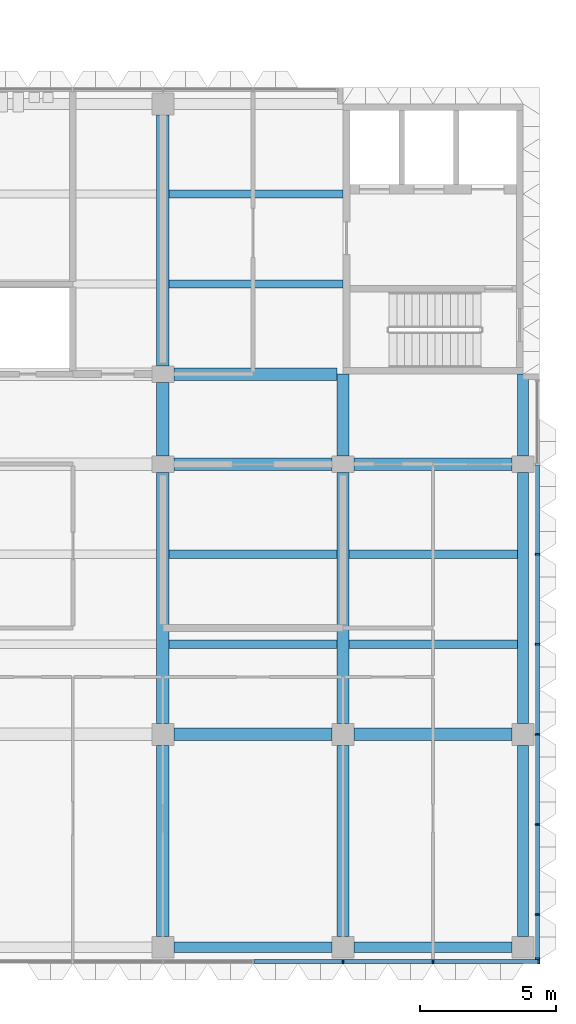
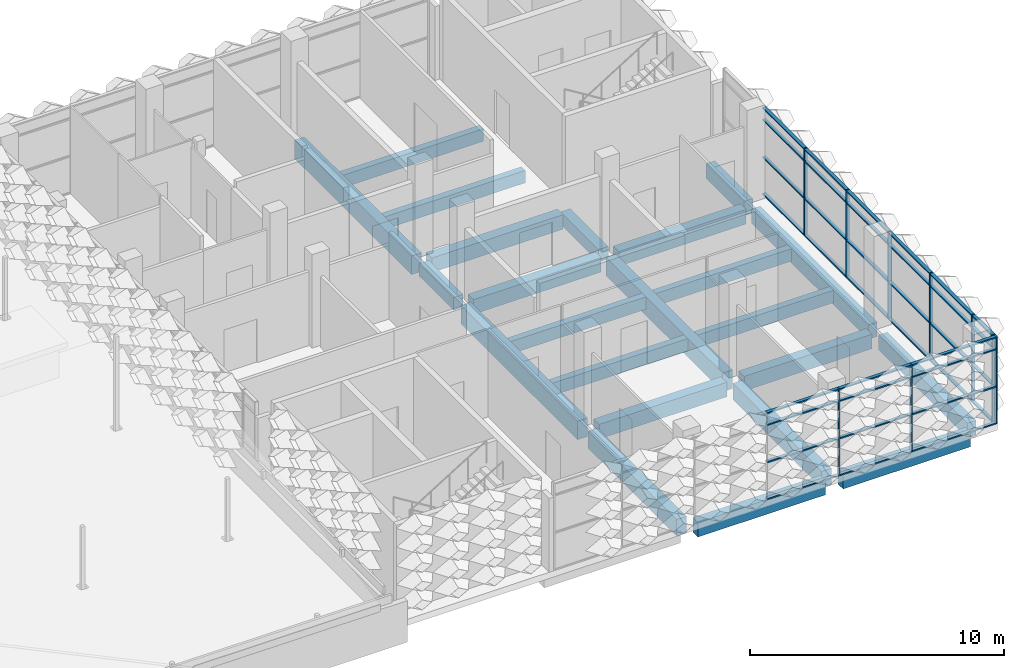
# One storey, part 7 of 39: 45 members, 23 beams, 2 elements without a shape of their own.
"""IFC4 building model written with IfcOpenShell, lengths in metres."""

from ifc_helpers import new_model, si_unit, direction, frame, origin, origin_2d, place, context, subcontext, project, spatial, rectangle, extrude, material, material_profile, profile_set, type_object, element, aggregate, save


model = new_model("IFC4")

# Units and contexts
model_context = context("Model", 3, precision=1e-05, world=origin(), true_north=direction((0.0, 1.0)))
body_context = subcontext(model_context, "Body", "Model", "MODEL_VIEW")
ifc_project = project(units=[si_unit("LENGTHUNIT", "METRE"), si_unit("AREAUNIT", "SQUARE_METRE"), si_unit("VOLUMEUNIT", "CUBIC_METRE"), si_unit("PLANEANGLEUNIT", "RADIAN"), si_unit("MASSUNIT", "GRAM", prefix="KILO")], contexts=[model_context])

# Site, building, storey
site_placement = place(None, origin())
site = spatial("IfcSite", under=ifc_project, at=site_placement, CompositionType="ELEMENT")
building_placement = place(site_placement, origin())
building = spatial("IfcBuilding", under=site, at=building_placement, Name="Lantern Court Research Institute", CompositionType="ELEMENT")
storey_placement = place(building_placement, frame((0.0, 0.0, 27.89990234375)))
storey = spatial("IfcBuildingStorey", under=building, at=storey_placement, Name="L06", CompositionType="ELEMENT", Elevation=27.89990234375)

# Curtain wall, members
ifc_material_1 = material(Name="Aluminium alloy 6063-T6", Category="aluminium")
curtain_wall_type_1 = type_object("IfcCurtainWallType", Name="Curtain wall 21250 x 4200 x 150 aluminium frame", PredefinedType="NOTDEFINED", material=ifc_material_1)
curtain_wall_1_placement = place(storey_placement, origin())
curtain_wall_1 = element("IfcCurtainWall", 1, at=curtain_wall_1_placement, inside=storey, type_object=curtain_wall_type_1, Name="Curtain wall CW077", PredefinedType="NOTDEFINED")
ifc_material_2 = material(Name="Aluminium alloy 6063-T6", Category="aluminium")
ifc_material_profile_1 = material_profile(ifc_material_2, rectangle(XDim=0.14990234375, YDim=0.06005859375, at=origin_2d()), Name="Mullion 150 x 60")
ifc_profile_set_1 = profile_set([ifc_material_profile_1], Name="Aluminium alloy 6063-T6")
member_type_1 = type_object("IfcMemberType", Name="Mullion 150 x 60 aluminium", PredefinedType="MULLION", material=ifc_profile_set_1)
member_1_placement = place(storey_placement, frame((79.72509765625, -8.219970703125, 0.0), z_axis=(0.0, 0.0, 1.0), x_axis=(1.0, 0.0, 0.0)))
member_1 = element("IfcMember", 2, at=member_1_placement, type_object=member_type_1, Name="CW077 mullion 1", PredefinedType="MULLION", context=body_context, shape_type="SweptSolid", body=[
    extrude(rectangle(XDim=0.14990234375, YDim=0.06005859375, at=origin_2d()), origin(), (0.0, 0.0, 1.0), 4.2001953125),
])
member_2_placement = place(storey_placement, frame((79.72509765625, -6.60009765625, 0.0), z_axis=(0.0, 0.0, 1.0), x_axis=(1.0, 0.0, 0.0)))
member_2 = element("IfcMember", 3, at=member_2_placement, type_object=member_type_1, Name="CW077 mullion 2", PredefinedType="MULLION", context=body_context, shape_type="SweptSolid", body=[
    extrude(rectangle(XDim=0.14990234375, YDim=0.06005859375, at=origin_2d()), origin(), (0.0, 0.0, 1.0), 4.2001953125),
])
member_3_placement = place(storey_placement, frame((79.72509765625, -3.300048828125, 0.0), z_axis=(0.0, 0.0, 1.0), x_axis=(1.0, 0.0, 0.0)))
member_3 = element("IfcMember", 4, at=member_3_placement, type_object=member_type_1, Name="CW077 mullion 3", PredefinedType="MULLION", context=body_context, shape_type="SweptSolid", body=[
    extrude(rectangle(XDim=0.14990234375, YDim=0.06005859375, at=origin_2d()), origin(), (0.0, 0.0, 1.0), 4.2001953125),
])
member_4_placement = place(storey_placement, frame((79.72509765625, 0.0, 0.0), z_axis=(0.0, 0.0, 1.0), x_axis=(1.0, 0.0, 0.0)))
member_4 = element("IfcMember", 5, at=member_4_placement, type_object=member_type_1, Name="CW077 mullion 4", PredefinedType="MULLION", context=body_context, shape_type="SweptSolid", body=[
    extrude(rectangle(XDim=0.14990234375, YDim=0.06005859375, at=origin_2d()), origin(), (0.0, 0.0, 1.0), 4.2001953125),
])
member_5_placement = place(storey_placement, frame((79.72509765625, 3.300048828125, 0.0), z_axis=(0.0, 0.0, 1.0), x_axis=(1.0, 0.0, 0.0)))
member_5 = element("IfcMember", 6, at=member_5_placement, type_object=member_type_1, Name="CW077 mullion 5", PredefinedType="MULLION", context=body_context, shape_type="SweptSolid", body=[
    extrude(rectangle(XDim=0.14990234375, YDim=0.06005859375, at=origin_2d()), origin(), (0.0, 0.0, 1.0), 4.2001953125),
])
member_6_placement = place(storey_placement, frame((79.72509765625, 6.60009765625, 0.0), z_axis=(0.0, 0.0, 1.0), x_axis=(1.0, 0.0, 0.0)))
member_6 = element("IfcMember", 7, at=member_6_placement, type_object=member_type_1, Name="CW077 mullion 6", PredefinedType="MULLION", context=body_context, shape_type="SweptSolid", body=[
    extrude(rectangle(XDim=0.14990234375, YDim=0.06005859375, at=origin_2d()), origin(), (0.0, 0.0, 1.0), 4.2001953125),
])

ifc_material_3 = material(Name="Aluminium alloy 6063-T6", Category="aluminium")
curtain_wall_type_2 = type_object("IfcCurtainWallType", Name="Curtain wall 20200 x 4200 x 150 aluminium frame", PredefinedType="NOTDEFINED", material=ifc_material_3)
curtain_wall_2_placement = place(storey_placement, origin())
curtain_wall_2 = element("IfcCurtainWall", 8, at=curtain_wall_2_placement, inside=storey, type_object=curtain_wall_type_2, Name="Curtain wall CW079", PredefinedType="NOTDEFINED")
member_7_placement = place(storey_placement, frame((72.60009765625, -8.324951171875, 0.0), z_axis=(0.0, 0.0, 1.0), x_axis=(0.0, -1.0, 0.0)))
member_7 = element("IfcMember", 9, at=member_7_placement, type_object=member_type_1, Name="CW079 mullion 5", PredefinedType="MULLION", context=body_context, shape_type="SweptSolid", body=[
    extrude(rectangle(XDim=0.14990234375, YDim=0.06005859375, at=origin_2d()), origin(), (0.0, 0.0, 1.0), 4.2001953125),
])
member_8_placement = place(storey_placement, frame((75.89990234375, -8.324951171875, 0.0), z_axis=(0.0, 0.0, 1.0), x_axis=(0.0, -1.0, 0.0)))
member_8 = element("IfcMember", 10, at=member_8_placement, type_object=member_type_1, Name="CW079 mullion 6", PredefinedType="MULLION", context=body_context, shape_type="SweptSolid", body=[
    extrude(rectangle(XDim=0.14990234375, YDim=0.06005859375, at=origin_2d()), origin(), (0.0, 0.0, 1.0), 4.2001953125),
])
member_9_placement = place(storey_placement, frame((79.77001953125, -8.324951171875, 0.0), z_axis=(0.0, 0.0, 1.0), x_axis=(0.0, -1.0, 0.0)))
member_9 = element("IfcMember", 11, at=member_9_placement, type_object=member_type_1, Name="CW079 mullion 7", PredefinedType="MULLION", context=body_context, shape_type="SweptSolid", body=[
    extrude(rectangle(XDim=0.14990234375, YDim=0.06005859375, at=origin_2d()), origin(), (0.0, 0.0, 1.0), 4.2001953125),
])

# Beams
ifc_material_4 = material(Name="Concrete C40/50", Category="concrete")
ifc_material_profile_2 = material_profile(ifc_material_4, rectangle(XDim=0.449951171875, YDim=0.699951171875, at=origin_2d()), Name="RC beam 450 x 700")
ifc_profile_set_2 = profile_set([ifc_material_profile_2], Name="Concrete C40/50")
beam_type_1 = type_object("IfcBeamType", Name="RC beam 450 x 700", PredefinedType="BEAM", material=ifc_profile_set_2)
for number, where, z_axis, x_axis, name in (
    (12, (66.39990234375, 0.0, -0.64990234375), (1.0, 0.0, 0.0), (0.0, 1.0, 0.0), "Beam L06 grid A/11-12"),
    (13, (73.0, 0.0, -0.64990234375), (1.0, 0.0, 0.0), (0.0, 1.0, 0.0), "Beam L06 grid A/12-13"),
    (14, (66.39990234375, 9.89990234375, -0.64990234375), (1.0, 0.0, 0.0), (0.0, 1.0, 0.0), "Beam L06 grid B/11-12"),
    (15, (73.0, 9.89990234375, -0.64990234375), (1.0, 0.0, 0.0), (0.0, 1.0, 0.0), "Beam L06 grid B/12-13"),
):
    element("IfcBeam", number, at=place(storey_placement, frame(where, z_axis=z_axis, x_axis=x_axis)), inside=storey, type_object=beam_type_1, Name=name, PredefinedType="BEAM", context=body_context, shape_type="SweptSolid", body=[
        extrude(rectangle(XDim=0.449951171875, YDim=0.699951171875, at=origin_2d()), origin(), (0.0, 0.0, 1.0), 5.800048828125),
    ])
beam_1_placement = place(storey_placement, frame((66.39990234375, 13.199951171875, -0.64990234375), z_axis=(1.0, 0.0, 0.0), x_axis=(0.0, 1.0, 0.0)))
element("IfcBeam", 16, at=beam_1_placement, inside=storey, type_object=beam_type_1, Name="Beam L06 grid C/11-12", PredefinedType="BEAM", context=body_context, shape_type="SweptSolid", body=[
    extrude(rectangle(XDim=0.449951171875, YDim=0.699951171875, at=origin_2d()), origin(), (0.0, 0.0, 1.0), 5.97509765625),
])
ifc_material_5 = material(Name="Concrete C40/50", Category="concrete")
ifc_material_profile_3 = material_profile(ifc_material_5, rectangle(XDim=0.39990234375, YDim=0.699951171875, at=origin_2d()), Name="RC beam 400 x 700")
ifc_profile_set_3 = profile_set([ifc_material_profile_3], Name="Concrete C40/50")
beam_type_2 = type_object("IfcBeamType", Name="RC edge beam 400 x 700", PredefinedType="BEAM", material=ifc_profile_set_3)
beam_2_placement = place(storey_placement, frame((79.199951171875, -7.39990234375, -0.64990234375), z_axis=(0.0, 1.0, 0.0), x_axis=(-1.0, 0.0, 0.0)))
element("IfcBeam", 17, at=beam_2_placement, inside=storey, type_object=beam_type_2, Name="Edge beam L06 grid 13/Z-A", PredefinedType="BEAM", context=body_context, shape_type="SweptSolid", body=[
    extrude(rectangle(XDim=0.39990234375, YDim=0.699951171875, at=origin_2d()), origin(), (0.0, 0.0, 1.0), 7.0),
])
beam_3_placement = place(storey_placement, frame((79.199951171875, 0.39990234375, -0.64990234375), z_axis=(0.0, 1.0, 0.0), x_axis=(-1.0, 0.0, 0.0)))
element("IfcBeam", 18, at=beam_3_placement, inside=storey, type_object=beam_type_2, Name="Edge beam L06 grid 13/A-B", PredefinedType="BEAM", context=body_context, shape_type="SweptSolid", body=[
    extrude(rectangle(XDim=0.39990234375, YDim=0.699951171875, at=origin_2d()), origin(), (0.0, 0.0, 1.0), 9.2001953125),
])
beam_4_placement = place(storey_placement, frame((79.199951171875, 10.199951171875, -0.64990234375), z_axis=(0.0, 1.0, 0.0), x_axis=(-1.0, 0.0, 0.0)))
element("IfcBeam", 19, at=beam_4_placement, inside=storey, type_object=beam_type_2, Name="Edge beam L06 grid 13/B-C", PredefinedType="BEAM", context=body_context, shape_type="SweptSolid", body=[
    extrude(rectangle(XDim=0.39990234375, YDim=0.699951171875, at=origin_2d()), origin(), (0.0, 0.0, 1.0), 3.0),
])
for number, where, z_axis, x_axis, name in (
    (20, (66.39990234375, -7.800048828125, -0.64990234375), (1.0, 0.0, 0.0), (0.0, 1.0, 0.0), "Edge beam L06 grid Z/11-12"),
    (21, (73.0, -7.800048828125, -0.64990234375), (1.0, 0.0, 0.0), (0.0, 1.0, 0.0), "Edge beam L06 grid Z/12-13"),
):
    element("IfcBeam", number, at=place(storey_placement, frame(where, z_axis=z_axis, x_axis=x_axis)), inside=storey, type_object=beam_type_2, Name=name, PredefinedType="BEAM", context=body_context, shape_type="SweptSolid", body=[
        extrude(rectangle(XDim=0.39990234375, YDim=0.699951171875, at=origin_2d()), origin(), (0.0, 0.0, 1.0), 5.800048828125),
    ])
ifc_material_6 = material(Name="Concrete C40/50", Category="concrete")
ifc_material_profile_4 = material_profile(ifc_material_6, rectangle(XDim=0.449951171875, YDim=0.800048828125, at=origin_2d()), Name="RC beam 450 x 800")
ifc_profile_set_4 = profile_set([ifc_material_profile_4], Name="Concrete C40/50")
beam_type_3 = type_object("IfcBeamType", Name="RC girder 450 x 800", PredefinedType="BEAM", material=ifc_profile_set_4)
for number, where, z_axis, x_axis, name in (
    (22, (66.0, -7.39990234375, -0.699951171875), (0.0, 1.0, 0.0), (-1.0, 0.0, 0.0), "Girder L06 grid 11/Z-A"),
    (23, (72.60009765625, -7.39990234375, -0.699951171875), (0.0, 1.0, 0.0), (-1.0, 0.0, 0.0), "Girder L06 grid 12/Z-A"),
):
    element("IfcBeam", number, at=place(storey_placement, frame(where, z_axis=z_axis, x_axis=x_axis)), inside=storey, type_object=beam_type_3, Name=name, PredefinedType="BEAM", context=body_context, shape_type="SweptSolid", body=[
        extrude(rectangle(XDim=0.449951171875, YDim=0.800048828125, at=origin_2d()), origin(), (0.0, 0.0, 1.0), 7.0),
    ])
ifc_material_7 = material(Name="Concrete C40/50", Category="concrete")
ifc_material_profile_5 = material_profile(ifc_material_7, rectangle(XDim=0.449951171875, YDim=0.89990234375, at=origin_2d()), Name="RC beam 450 x 900")
ifc_profile_set_5 = profile_set([ifc_material_profile_5], Name="Concrete C40/50")
beam_type_4 = type_object("IfcBeamType", Name="RC girder 450 x 900", PredefinedType="BEAM", material=ifc_profile_set_5)
beam_5_placement = place(storey_placement, frame((66.0, 0.39990234375, -0.75), z_axis=(0.0, 1.0, 0.0), x_axis=(-1.0, 0.0, 0.0)))
element("IfcBeam", 24, at=beam_5_placement, inside=storey, type_object=beam_type_4, Name="Girder L06 grid 11/A-B", PredefinedType="BEAM", context=body_context, shape_type="SweptSolid", body=[
    extrude(rectangle(XDim=0.449951171875, YDim=0.89990234375, at=origin_2d()), origin(), (0.0, 0.0, 1.0), 9.2001953125),
])
beam_6_placement = place(storey_placement, frame((66.0, 13.5, -0.75), z_axis=(0.0, 1.0, 0.0), x_axis=(-1.0, 0.0, 0.0)))
element("IfcBeam", 25, at=beam_6_placement, inside=storey, type_object=beam_type_4, Name="Girder L06 grid 11/C-D", PredefinedType="BEAM", context=body_context, shape_type="SweptSolid", body=[
    extrude(rectangle(XDim=0.449951171875, YDim=0.89990234375, at=origin_2d()), origin(), (0.0, 0.0, 1.0), 9.199951171875),
])
beam_7_placement = place(storey_placement, frame((72.60009765625, 0.39990234375, -0.75), z_axis=(0.0, 1.0, 0.0), x_axis=(-1.0, 0.0, 0.0)))
element("IfcBeam", 26, at=beam_7_placement, inside=storey, type_object=beam_type_4, Name="Girder L06 grid 12/A-B", PredefinedType="BEAM", context=body_context, shape_type="SweptSolid", body=[
    extrude(rectangle(XDim=0.449951171875, YDim=0.89990234375, at=origin_2d()), origin(), (0.0, 0.0, 1.0), 9.2001953125),
])
ifc_material_8 = material(Name="Concrete C40/50", Category="concrete")
ifc_material_profile_6 = material_profile(ifc_material_8, rectangle(XDim=0.300048828125, YDim=0.60009765625, at=origin_2d()), Name="RC beam 300 x 600")
ifc_profile_set_6 = profile_set([ifc_material_profile_6], Name="Concrete C40/50")
beam_type_5 = type_object("IfcBeamType", Name="RC secondary beam 300 x 600", PredefinedType="BEAM", material=ifc_profile_set_6)
beam_8_placement = place(storey_placement, frame((66.22509765625, 3.300048828125, -0.599853515625), z_axis=(1.0, 0.0, 0.0), x_axis=(0.0, 1.0, 0.0)))
element("IfcBeam", 27, at=beam_8_placement, inside=storey, type_object=beam_type_5, Name="Secondary beam L06 grids 11-12 / A-B, line 1", PredefinedType="BEAM", context=body_context, shape_type="SweptSolid", body=[
    extrude(rectangle(XDim=0.300048828125, YDim=0.60009765625, at=origin_2d()), origin(), (0.0, 0.0, 1.0), 6.14990234375),
])
beam_9_placement = place(storey_placement, frame((72.824951171875, 3.300048828125, -0.599853515625), z_axis=(1.0, 0.0, 0.0), x_axis=(0.0, 1.0, 0.0)))
element("IfcBeam", 28, at=beam_9_placement, inside=storey, type_object=beam_type_5, Name="Secondary beam L06 grids 12-13 / A-B, line 1", PredefinedType="BEAM", context=body_context, shape_type="SweptSolid", body=[
    extrude(rectangle(XDim=0.300048828125, YDim=0.60009765625, at=origin_2d()), origin(), (0.0, 0.0, 1.0), 6.175048828125),
])
beam_10_placement = place(storey_placement, frame((66.22509765625, 6.60009765625, -0.599853515625), z_axis=(1.0, 0.0, 0.0), x_axis=(0.0, 1.0, 0.0)))
element("IfcBeam", 29, at=beam_10_placement, inside=storey, type_object=beam_type_5, Name="Secondary beam L06 grids 11-12 / A-B, line 2", PredefinedType="BEAM", context=body_context, shape_type="SweptSolid", body=[
    extrude(rectangle(XDim=0.300048828125, YDim=0.60009765625, at=origin_2d()), origin(), (0.0, 0.0, 1.0), 6.14990234375),
])
beam_11_placement = place(storey_placement, frame((72.824951171875, 6.60009765625, -0.599853515625), z_axis=(1.0, 0.0, 0.0), x_axis=(0.0, 1.0, 0.0)))
element("IfcBeam", 30, at=beam_11_placement, inside=storey, type_object=beam_type_5, Name="Secondary beam L06 grids 12-13 / A-B, line 2", PredefinedType="BEAM", context=body_context, shape_type="SweptSolid", body=[
    extrude(rectangle(XDim=0.300048828125, YDim=0.60009765625, at=origin_2d()), origin(), (0.0, 0.0, 1.0), 6.175048828125),
])
for number, where, z_axis, x_axis, name in (
    (31, (66.22509765625, 16.5, -0.599853515625), (1.0, 0.0, 0.0), (0.0, 1.0, 0.0), "Secondary beam L06 grids 11-12 / C-D, line 1"),
    (32, (66.22509765625, 19.800048828125, -0.599853515625), (1.0, 0.0, 0.0), (0.0, 1.0, 0.0), "Secondary beam L06 grids 11-12 / C-D, line 2"),
):
    element("IfcBeam", number, at=place(storey_placement, frame(where, z_axis=z_axis, x_axis=x_axis)), inside=storey, type_object=beam_type_5, Name=name, PredefinedType="BEAM", context=body_context, shape_type="SweptSolid", body=[
        extrude(rectangle(XDim=0.300048828125, YDim=0.60009765625, at=origin_2d()), origin(), (0.0, 0.0, 1.0), 6.375),
    ])
ifc_material_9 = material(Name="Concrete C40/50", Category="concrete")
ifc_material_profile_7 = material_profile(ifc_material_9, rectangle(XDim=0.449951171875, YDim=0.60009765625, at=origin_2d()), Name="RC beam 450 x 600")
ifc_profile_set_7 = profile_set([ifc_material_profile_7], Name="Concrete C40/50")
beam_type_6 = type_object("IfcBeamType", Name="RC spine beam 450 x 600", PredefinedType="BEAM", material=ifc_profile_set_7)
beam_12_placement = place(storey_placement, frame((66.0, 10.199951171875, -0.599853515625), z_axis=(0.0, 1.0, 0.0), x_axis=(-1.0, 0.0, 0.0)))
element("IfcBeam", 33, at=beam_12_placement, inside=storey, type_object=beam_type_6, Name="Beam L06 grid 11/B-C", PredefinedType="BEAM", context=body_context, shape_type="SweptSolid", body=[
    extrude(rectangle(XDim=0.449951171875, YDim=0.60009765625, at=origin_2d()), origin(), (0.0, 0.0, 1.0), 2.699951171875),
])
beam_13_placement = place(storey_placement, frame((72.60009765625, 10.199951171875, -0.599853515625), z_axis=(0.0, 1.0, 0.0), x_axis=(-1.0, 0.0, 0.0)))
element("IfcBeam", 34, at=beam_13_placement, inside=storey, type_object=beam_type_6, Name="Beam L06 grid 12/B-C", PredefinedType="BEAM", context=body_context, shape_type="SweptSolid", body=[
    extrude(rectangle(XDim=0.449951171875, YDim=0.60009765625, at=origin_2d()), origin(), (0.0, 0.0, 1.0), 3.0),
])

# Member
ifc_material_10 = material(Name="Aluminium alloy 6063-T6", Category="aluminium")
ifc_material_profile_8 = material_profile(ifc_material_10, rectangle(XDim=0.14990234375, YDim=0.06005859375, at=origin_2d()), Name="Transom 150 x 60")
ifc_profile_set_8 = profile_set([ifc_material_profile_8], Name="Aluminium alloy 6063-T6")
member_type_2 = type_object("IfcMemberType", Name="Transom 150 x 60 aluminium", PredefinedType="USERDEFINED", material=ifc_profile_set_8)
member_10_placement = place(storey_placement, frame((79.72509765625, -6.6298828125, 0.030029296875), z_axis=(0.0, -1.0, 0.0), x_axis=(1.0, 0.0, 0.0)))
member_10 = element("IfcMember", 35, at=member_10_placement, type_object=member_type_2, Name="CW077 transom 1.1", ObjectType="TRANSOM", PredefinedType="USERDEFINED", context=body_context, shape_type="SweptSolid", body=[
    extrude(rectangle(XDim=0.14990234375, YDim=0.06005859375, at=origin_2d()), origin(), (0.0, 0.0, 1.0), 1.56005859375),
])

member_11_placement = place(storey_placement, frame((79.72509765625, -6.6298828125, 1.800048828125), z_axis=(0.0, -1.0, 0.0), x_axis=(1.0, 0.0, 0.0)))
member_11 = element("IfcMember", 36, at=member_11_placement, type_object=member_type_2, Name="CW077 transom 1.2", ObjectType="TRANSOM", PredefinedType="USERDEFINED", context=body_context, shape_type="SweptSolid", body=[
    extrude(rectangle(XDim=0.14990234375, YDim=0.06005859375, at=origin_2d()), origin(), (0.0, 0.0, 1.0), 1.56005859375),
])

member_12_placement = place(storey_placement, frame((79.72509765625, -6.6298828125, 3.60009765625), z_axis=(0.0, -1.0, 0.0), x_axis=(1.0, 0.0, 0.0)))
member_12 = element("IfcMember", 37, at=member_12_placement, type_object=member_type_2, Name="CW077 transom 1.3", ObjectType="TRANSOM", PredefinedType="USERDEFINED", context=body_context, shape_type="SweptSolid", body=[
    extrude(rectangle(XDim=0.14990234375, YDim=0.06005859375, at=origin_2d()), origin(), (0.0, 0.0, 1.0), 1.56005859375),
])

member_13_placement = place(storey_placement, frame((79.72509765625, -6.6298828125, 4.170166015625), z_axis=(0.0, -1.0, 0.0), x_axis=(1.0, 0.0, 0.0)))
member_13 = element("IfcMember", 38, at=member_13_placement, type_object=member_type_2, Name="CW077 transom 1.4", ObjectType="TRANSOM", PredefinedType="USERDEFINED", context=body_context, shape_type="SweptSolid", body=[
    extrude(rectangle(XDim=0.14990234375, YDim=0.06005859375, at=origin_2d()), origin(), (0.0, 0.0, 1.0), 1.56005859375),
])

member_14_placement = place(storey_placement, frame((79.72509765625, -3.330078125, 0.030029296875), z_axis=(0.0, -1.0, 0.0), x_axis=(1.0, 0.0, 0.0)))
member_14 = element("IfcMember", 39, at=member_14_placement, type_object=member_type_2, Name="CW077 transom 2.1", ObjectType="TRANSOM", PredefinedType="USERDEFINED", context=body_context, shape_type="SweptSolid", body=[
    extrude(rectangle(XDim=0.14990234375, YDim=0.06005859375, at=origin_2d()), origin(), (0.0, 0.0, 1.0), 3.239990234375),
])

member_15_placement = place(storey_placement, frame((79.72509765625, -3.330078125, 1.800048828125), z_axis=(0.0, -1.0, 0.0), x_axis=(1.0, 0.0, 0.0)))
member_15 = element("IfcMember", 40, at=member_15_placement, type_object=member_type_2, Name="CW077 transom 2.2", ObjectType="TRANSOM", PredefinedType="USERDEFINED", context=body_context, shape_type="SweptSolid", body=[
    extrude(rectangle(XDim=0.14990234375, YDim=0.06005859375, at=origin_2d()), origin(), (0.0, 0.0, 1.0), 3.239990234375),
])

member_16_placement = place(storey_placement, frame((79.72509765625, -3.330078125, 3.60009765625), z_axis=(0.0, -1.0, 0.0), x_axis=(1.0, 0.0, 0.0)))
member_16 = element("IfcMember", 41, at=member_16_placement, type_object=member_type_2, Name="CW077 transom 2.3", ObjectType="TRANSOM", PredefinedType="USERDEFINED", context=body_context, shape_type="SweptSolid", body=[
    extrude(rectangle(XDim=0.14990234375, YDim=0.06005859375, at=origin_2d()), origin(), (0.0, 0.0, 1.0), 3.239990234375),
])

member_17_placement = place(storey_placement, frame((79.72509765625, -3.330078125, 4.170166015625), z_axis=(0.0, -1.0, 0.0), x_axis=(1.0, 0.0, 0.0)))
member_17 = element("IfcMember", 42, at=member_17_placement, type_object=member_type_2, Name="CW077 transom 2.4", ObjectType="TRANSOM", PredefinedType="USERDEFINED", context=body_context, shape_type="SweptSolid", body=[
    extrude(rectangle(XDim=0.14990234375, YDim=0.06005859375, at=origin_2d()), origin(), (0.0, 0.0, 1.0), 3.239990234375),
])

member_18_placement = place(storey_placement, frame((79.72509765625, -0.030029296875, 0.030029296875), z_axis=(0.0, -1.0, 0.0), x_axis=(1.0, 0.0, 0.0)))
member_18 = element("IfcMember", 43, at=member_18_placement, type_object=member_type_2, Name="CW077 transom 3.1", ObjectType="TRANSOM", PredefinedType="USERDEFINED", context=body_context, shape_type="SweptSolid", body=[
    extrude(rectangle(XDim=0.14990234375, YDim=0.06005859375, at=origin_2d()), origin(), (0.0, 0.0, 1.0), 3.239990234375),
])

member_19_placement = place(storey_placement, frame((79.72509765625, -0.030029296875, 1.800048828125), z_axis=(0.0, -1.0, 0.0), x_axis=(1.0, 0.0, 0.0)))
member_19 = element("IfcMember", 44, at=member_19_placement, type_object=member_type_2, Name="CW077 transom 3.2", ObjectType="TRANSOM", PredefinedType="USERDEFINED", context=body_context, shape_type="SweptSolid", body=[
    extrude(rectangle(XDim=0.14990234375, YDim=0.06005859375, at=origin_2d()), origin(), (0.0, 0.0, 1.0), 3.239990234375),
])

member_20_placement = place(storey_placement, frame((79.72509765625, -0.030029296875, 3.60009765625), z_axis=(0.0, -1.0, 0.0), x_axis=(1.0, 0.0, 0.0)))
member_20 = element("IfcMember", 45, at=member_20_placement, type_object=member_type_2, Name="CW077 transom 3.3", ObjectType="TRANSOM", PredefinedType="USERDEFINED", context=body_context, shape_type="SweptSolid", body=[
    extrude(rectangle(XDim=0.14990234375, YDim=0.06005859375, at=origin_2d()), origin(), (0.0, 0.0, 1.0), 3.239990234375),
])

member_21_placement = place(storey_placement, frame((79.72509765625, -0.030029296875, 4.170166015625), z_axis=(0.0, -1.0, 0.0), x_axis=(1.0, 0.0, 0.0)))
member_21 = element("IfcMember", 46, at=member_21_placement, type_object=member_type_2, Name="CW077 transom 3.4", ObjectType="TRANSOM", PredefinedType="USERDEFINED", context=body_context, shape_type="SweptSolid", body=[
    extrude(rectangle(XDim=0.14990234375, YDim=0.06005859375, at=origin_2d()), origin(), (0.0, 0.0, 1.0), 3.239990234375),
])

member_22_placement = place(storey_placement, frame((79.72509765625, 3.27001953125, 0.030029296875), z_axis=(0.0, -1.0, 0.0), x_axis=(1.0, 0.0, 0.0)))
member_22 = element("IfcMember", 47, at=member_22_placement, type_object=member_type_2, Name="CW077 transom 4.1", ObjectType="TRANSOM", PredefinedType="USERDEFINED", context=body_context, shape_type="SweptSolid", body=[
    extrude(rectangle(XDim=0.14990234375, YDim=0.06005859375, at=origin_2d()), origin(), (0.0, 0.0, 1.0), 3.239990234375),
])

member_23_placement = place(storey_placement, frame((79.72509765625, 3.27001953125, 1.800048828125), z_axis=(0.0, -1.0, 0.0), x_axis=(1.0, 0.0, 0.0)))
member_23 = element("IfcMember", 48, at=member_23_placement, type_object=member_type_2, Name="CW077 transom 4.2", ObjectType="TRANSOM", PredefinedType="USERDEFINED", context=body_context, shape_type="SweptSolid", body=[
    extrude(rectangle(XDim=0.14990234375, YDim=0.06005859375, at=origin_2d()), origin(), (0.0, 0.0, 1.0), 3.239990234375),
])

member_24_placement = place(storey_placement, frame((79.72509765625, 3.27001953125, 3.60009765625), z_axis=(0.0, -1.0, 0.0), x_axis=(1.0, 0.0, 0.0)))
member_24 = element("IfcMember", 49, at=member_24_placement, type_object=member_type_2, Name="CW077 transom 4.3", ObjectType="TRANSOM", PredefinedType="USERDEFINED", context=body_context, shape_type="SweptSolid", body=[
    extrude(rectangle(XDim=0.14990234375, YDim=0.06005859375, at=origin_2d()), origin(), (0.0, 0.0, 1.0), 3.239990234375),
])

member_25_placement = place(storey_placement, frame((79.72509765625, 3.27001953125, 4.170166015625), z_axis=(0.0, -1.0, 0.0), x_axis=(1.0, 0.0, 0.0)))
member_25 = element("IfcMember", 50, at=member_25_placement, type_object=member_type_2, Name="CW077 transom 4.4", ObjectType="TRANSOM", PredefinedType="USERDEFINED", context=body_context, shape_type="SweptSolid", body=[
    extrude(rectangle(XDim=0.14990234375, YDim=0.06005859375, at=origin_2d()), origin(), (0.0, 0.0, 1.0), 3.239990234375),
])

member_26_placement = place(storey_placement, frame((79.72509765625, 6.570068359375, 0.030029296875), z_axis=(0.0, -1.0, 0.0), x_axis=(1.0, 0.0, 0.0)))
member_26 = element("IfcMember", 51, at=member_26_placement, type_object=member_type_2, Name="CW077 transom 5.1", ObjectType="TRANSOM", PredefinedType="USERDEFINED", context=body_context, shape_type="SweptSolid", body=[
    extrude(rectangle(XDim=0.14990234375, YDim=0.06005859375, at=origin_2d()), origin(), (0.0, 0.0, 1.0), 3.239990234375),
])

member_27_placement = place(storey_placement, frame((79.72509765625, 6.570068359375, 1.800048828125), z_axis=(0.0, -1.0, 0.0), x_axis=(1.0, 0.0, 0.0)))
member_27 = element("IfcMember", 52, at=member_27_placement, type_object=member_type_2, Name="CW077 transom 5.2", ObjectType="TRANSOM", PredefinedType="USERDEFINED", context=body_context, shape_type="SweptSolid", body=[
    extrude(rectangle(XDim=0.14990234375, YDim=0.06005859375, at=origin_2d()), origin(), (0.0, 0.0, 1.0), 3.239990234375),
])

member_28_placement = place(storey_placement, frame((79.72509765625, 6.570068359375, 3.60009765625), z_axis=(0.0, -1.0, 0.0), x_axis=(1.0, 0.0, 0.0)))
member_28 = element("IfcMember", 53, at=member_28_placement, type_object=member_type_2, Name="CW077 transom 5.3", ObjectType="TRANSOM", PredefinedType="USERDEFINED", context=body_context, shape_type="SweptSolid", body=[
    extrude(rectangle(XDim=0.14990234375, YDim=0.06005859375, at=origin_2d()), origin(), (0.0, 0.0, 1.0), 3.239990234375),
])

member_29_placement = place(storey_placement, frame((79.72509765625, 6.570068359375, 4.170166015625), z_axis=(0.0, -1.0, 0.0), x_axis=(1.0, 0.0, 0.0)))
member_29 = element("IfcMember", 54, at=member_29_placement, type_object=member_type_2, Name="CW077 transom 5.4", ObjectType="TRANSOM", PredefinedType="USERDEFINED", context=body_context, shape_type="SweptSolid", body=[
    extrude(rectangle(XDim=0.14990234375, YDim=0.06005859375, at=origin_2d()), origin(), (0.0, 0.0, 1.0), 3.239990234375),
])

member_30_placement = place(storey_placement, frame((79.72509765625, 9.8701171875, 0.030029296875), z_axis=(0.0, -1.0, 0.0), x_axis=(1.0, 0.0, 0.0)))
member_30 = element("IfcMember", 55, at=member_30_placement, type_object=member_type_2, Name="CW077 transom 6.1", ObjectType="TRANSOM", PredefinedType="USERDEFINED", context=body_context, shape_type="SweptSolid", body=[
    extrude(rectangle(XDim=0.14990234375, YDim=0.06005859375, at=origin_2d()), origin(), (0.0, 0.0, 1.0), 3.240234375),
])

member_31_placement = place(storey_placement, frame((79.72509765625, 9.8701171875, 1.800048828125), z_axis=(0.0, -1.0, 0.0), x_axis=(1.0, 0.0, 0.0)))
member_31 = element("IfcMember", 56, at=member_31_placement, type_object=member_type_2, Name="CW077 transom 6.2", ObjectType="TRANSOM", PredefinedType="USERDEFINED", context=body_context, shape_type="SweptSolid", body=[
    extrude(rectangle(XDim=0.14990234375, YDim=0.06005859375, at=origin_2d()), origin(), (0.0, 0.0, 1.0), 3.240234375),
])

member_32_placement = place(storey_placement, frame((79.72509765625, 9.8701171875, 3.60009765625), z_axis=(0.0, -1.0, 0.0), x_axis=(1.0, 0.0, 0.0)))
member_32 = element("IfcMember", 57, at=member_32_placement, type_object=member_type_2, Name="CW077 transom 6.3", ObjectType="TRANSOM", PredefinedType="USERDEFINED", context=body_context, shape_type="SweptSolid", body=[
    extrude(rectangle(XDim=0.14990234375, YDim=0.06005859375, at=origin_2d()), origin(), (0.0, 0.0, 1.0), 3.240234375),
])

member_33_placement = place(storey_placement, frame((79.72509765625, 9.8701171875, 4.170166015625), z_axis=(0.0, -1.0, 0.0), x_axis=(1.0, 0.0, 0.0)))
member_33 = element("IfcMember", 58, at=member_33_placement, type_object=member_type_2, Name="CW077 transom 6.4", ObjectType="TRANSOM", PredefinedType="USERDEFINED", context=body_context, shape_type="SweptSolid", body=[
    extrude(rectangle(XDim=0.14990234375, YDim=0.06005859375, at=origin_2d()), origin(), (0.0, 0.0, 1.0), 3.240234375),
])

aggregate(curtain_wall_1, [member_1, member_2, member_3, member_4, member_5, member_6, member_10, member_11, member_12, member_13, member_14, member_15, member_16, member_17, member_18, member_19, member_20, member_21, member_22, member_23, member_24, member_25, member_26, member_27, member_28, member_29, member_30, member_31, member_32, member_33])

member_34_placement = place(storey_placement, frame((72.570068359375, -8.324951171875, 0.030029296875), z_axis=(-1.0, 0.0, 0.0), x_axis=(0.0, -1.0, 0.0)))
member_34 = element("IfcMember", 59, at=member_34_placement, type_object=member_type_2, Name="CW079 transom 4.1", ObjectType="TRANSOM", PredefinedType="USERDEFINED", context=body_context, shape_type="SweptSolid", body=[
    extrude(rectangle(XDim=0.14990234375, YDim=0.06005859375, at=origin_2d()), origin(), (0.0, 0.0, 1.0), 3.239990234375),
])

member_35_placement = place(storey_placement, frame((72.570068359375, -8.324951171875, 1.800048828125), z_axis=(-1.0, 0.0, 0.0), x_axis=(0.0, -1.0, 0.0)))
member_35 = element("IfcMember", 60, at=member_35_placement, type_object=member_type_2, Name="CW079 transom 4.2", ObjectType="TRANSOM", PredefinedType="USERDEFINED", context=body_context, shape_type="SweptSolid", body=[
    extrude(rectangle(XDim=0.14990234375, YDim=0.06005859375, at=origin_2d()), origin(), (0.0, 0.0, 1.0), 3.239990234375),
])

member_36_placement = place(storey_placement, frame((72.570068359375, -8.324951171875, 3.60009765625), z_axis=(-1.0, 0.0, 0.0), x_axis=(0.0, -1.0, 0.0)))
member_36 = element("IfcMember", 61, at=member_36_placement, type_object=member_type_2, Name="CW079 transom 4.3", ObjectType="TRANSOM", PredefinedType="USERDEFINED", context=body_context, shape_type="SweptSolid", body=[
    extrude(rectangle(XDim=0.14990234375, YDim=0.06005859375, at=origin_2d()), origin(), (0.0, 0.0, 1.0), 3.239990234375),
])

member_37_placement = place(storey_placement, frame((72.570068359375, -8.324951171875, 4.170166015625), z_axis=(-1.0, 0.0, 0.0), x_axis=(0.0, -1.0, 0.0)))
member_37 = element("IfcMember", 62, at=member_37_placement, type_object=member_type_2, Name="CW079 transom 4.4", ObjectType="TRANSOM", PredefinedType="USERDEFINED", context=body_context, shape_type="SweptSolid", body=[
    extrude(rectangle(XDim=0.14990234375, YDim=0.06005859375, at=origin_2d()), origin(), (0.0, 0.0, 1.0), 3.239990234375),
])

member_38_placement = place(storey_placement, frame((75.8701171875, -8.324951171875, 0.030029296875), z_axis=(-1.0, 0.0, 0.0), x_axis=(0.0, -1.0, 0.0)))
member_38 = element("IfcMember", 63, at=member_38_placement, type_object=member_type_2, Name="CW079 transom 5.1", ObjectType="TRANSOM", PredefinedType="USERDEFINED", context=body_context, shape_type="SweptSolid", body=[
    extrude(rectangle(XDim=0.14990234375, YDim=0.06005859375, at=origin_2d()), origin(), (0.0, 0.0, 1.0), 3.240234375),
])

member_39_placement = place(storey_placement, frame((75.8701171875, -8.324951171875, 1.800048828125), z_axis=(-1.0, 0.0, 0.0), x_axis=(0.0, -1.0, 0.0)))
member_39 = element("IfcMember", 64, at=member_39_placement, type_object=member_type_2, Name="CW079 transom 5.2", ObjectType="TRANSOM", PredefinedType="USERDEFINED", context=body_context, shape_type="SweptSolid", body=[
    extrude(rectangle(XDim=0.14990234375, YDim=0.06005859375, at=origin_2d()), origin(), (0.0, 0.0, 1.0), 3.240234375),
])

member_40_placement = place(storey_placement, frame((75.8701171875, -8.324951171875, 3.60009765625), z_axis=(-1.0, 0.0, 0.0), x_axis=(0.0, -1.0, 0.0)))
member_40 = element("IfcMember", 65, at=member_40_placement, type_object=member_type_2, Name="CW079 transom 5.3", ObjectType="TRANSOM", PredefinedType="USERDEFINED", context=body_context, shape_type="SweptSolid", body=[
    extrude(rectangle(XDim=0.14990234375, YDim=0.06005859375, at=origin_2d()), origin(), (0.0, 0.0, 1.0), 3.240234375),
])

member_41_placement = place(storey_placement, frame((75.8701171875, -8.324951171875, 4.170166015625), z_axis=(-1.0, 0.0, 0.0), x_axis=(0.0, -1.0, 0.0)))
member_41 = element("IfcMember", 66, at=member_41_placement, type_object=member_type_2, Name="CW079 transom 5.4", ObjectType="TRANSOM", PredefinedType="USERDEFINED", context=body_context, shape_type="SweptSolid", body=[
    extrude(rectangle(XDim=0.14990234375, YDim=0.06005859375, at=origin_2d()), origin(), (0.0, 0.0, 1.0), 3.240234375),
])

member_42_placement = place(storey_placement, frame((79.739990234375, -8.324951171875, 0.030029296875), z_axis=(-1.0, 0.0, 0.0), x_axis=(0.0, -1.0, 0.0)))
member_42 = element("IfcMember", 67, at=member_42_placement, type_object=member_type_2, Name="CW079 transom 6.1", ObjectType="TRANSOM", PredefinedType="USERDEFINED", context=body_context, shape_type="SweptSolid", body=[
    extrude(rectangle(XDim=0.14990234375, YDim=0.06005859375, at=origin_2d()), origin(), (0.0, 0.0, 1.0), 3.81005859375),
])

member_43_placement = place(storey_placement, frame((79.739990234375, -8.324951171875, 1.800048828125), z_axis=(-1.0, 0.0, 0.0), x_axis=(0.0, -1.0, 0.0)))
member_43 = element("IfcMember", 68, at=member_43_placement, type_object=member_type_2, Name="CW079 transom 6.2", ObjectType="TRANSOM", PredefinedType="USERDEFINED", context=body_context, shape_type="SweptSolid", body=[
    extrude(rectangle(XDim=0.14990234375, YDim=0.06005859375, at=origin_2d()), origin(), (0.0, 0.0, 1.0), 3.81005859375),
])

member_44_placement = place(storey_placement, frame((79.739990234375, -8.324951171875, 3.60009765625), z_axis=(-1.0, 0.0, 0.0), x_axis=(0.0, -1.0, 0.0)))
member_44 = element("IfcMember", 69, at=member_44_placement, type_object=member_type_2, Name="CW079 transom 6.3", ObjectType="TRANSOM", PredefinedType="USERDEFINED", context=body_context, shape_type="SweptSolid", body=[
    extrude(rectangle(XDim=0.14990234375, YDim=0.06005859375, at=origin_2d()), origin(), (0.0, 0.0, 1.0), 3.81005859375),
])

member_45_placement = place(storey_placement, frame((79.739990234375, -8.324951171875, 4.170166015625), z_axis=(-1.0, 0.0, 0.0), x_axis=(0.0, -1.0, 0.0)))
member_45 = element("IfcMember", 70, at=member_45_placement, type_object=member_type_2, Name="CW079 transom 6.4", ObjectType="TRANSOM", PredefinedType="USERDEFINED", context=body_context, shape_type="SweptSolid", body=[
    extrude(rectangle(XDim=0.14990234375, YDim=0.06005859375, at=origin_2d()), origin(), (0.0, 0.0, 1.0), 3.81005859375),
])

aggregate(curtain_wall_2, [member_7, member_8, member_9, member_34, member_35, member_36, member_37, member_38, member_39, member_40, member_41, member_42, member_43, member_44, member_45])

save(model, "model.ifc")
